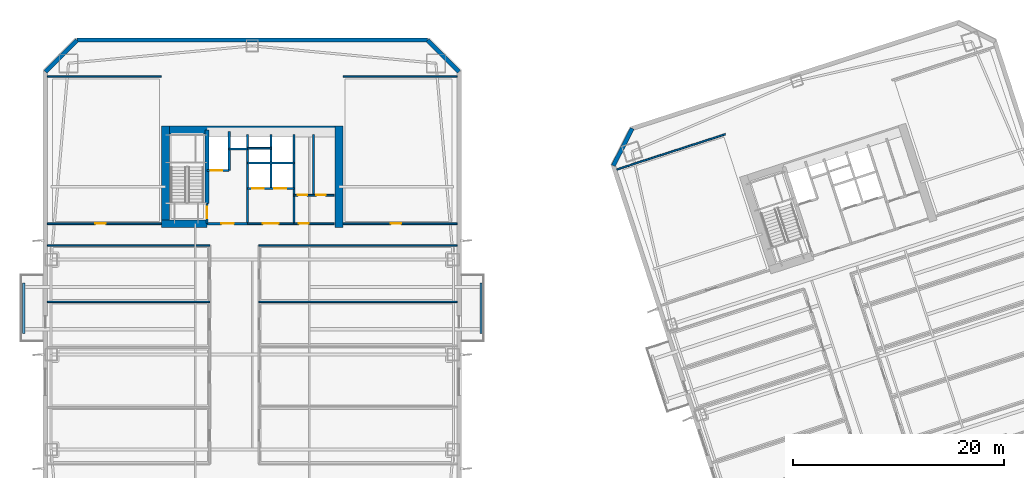
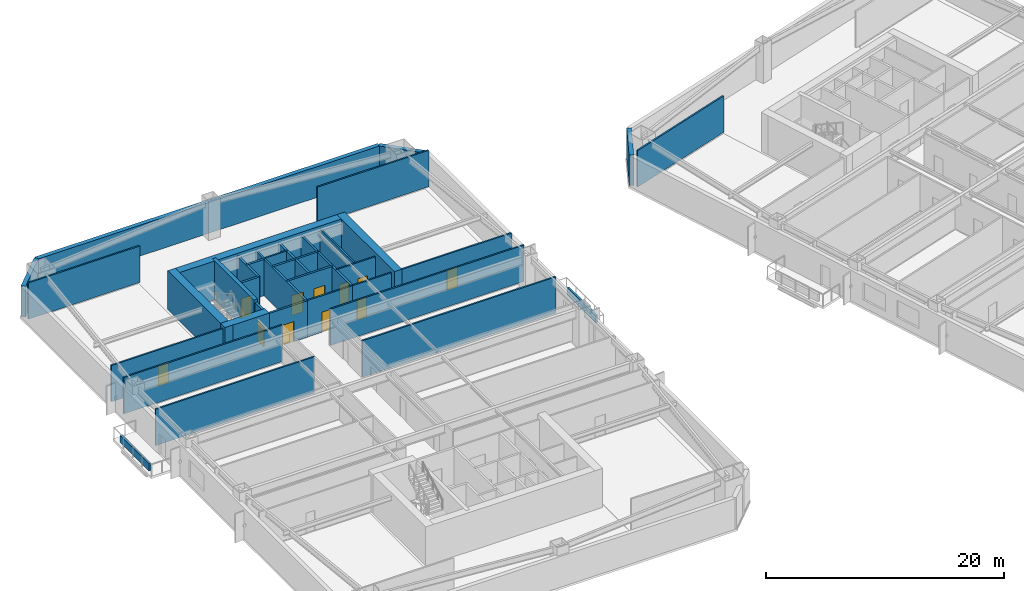
# One storey, part 6 of 21: 35 walls, 11 doors, 11 openings.
"""IFC4 building model written with IfcOpenShell, lengths in metres."""

from ifc_helpers import new_model, si_unit, direction, frame, frame_2d, origin, place, context, subcontext, project, spatial, rectangle, extrude, material, layer, layer_set, type_object, element, fill, save


model = new_model("IFC4")

# Units and contexts
model_context = context("Model", 3, precision=1e-05, world=origin(), true_north=direction((0.0, 1.0)))
body_context = subcontext(model_context, "Body", "Model", "MODEL_VIEW")
ifc_project = project(units=[si_unit("LENGTHUNIT", "METRE"), si_unit("AREAUNIT", "SQUARE_METRE"), si_unit("VOLUMEUNIT", "CUBIC_METRE"), si_unit("PLANEANGLEUNIT", "RADIAN"), si_unit("MASSUNIT", "GRAM", prefix="KILO")], contexts=[model_context])

# Site, building, storey
site_placement = place(None, origin())
site = spatial("IfcSite", under=ifc_project, at=site_placement, CompositionType="ELEMENT")
building_placement = place(site_placement, origin())
building = spatial("IfcBuilding", under=site, at=building_placement, Name="Qiaolan Cultural Towers", CompositionType="ELEMENT")
storey_placement = place(building_placement, frame((0.0, 0.0, 34.0)))
storey = spatial("IfcBuildingStorey", under=building, at=storey_placement, Name="L07", CompositionType="ELEMENT", Elevation=34.0)

# Walls
ifc_material_1 = material(Name="Concrete C50", Category="concrete")
ifc_layer_1 = layer(ifc_material_1, 0.35009765625)
ifc_layer_set_1 = layer_set([ifc_layer_1], Name="Concrete C50")
wall_type_1 = type_object("IfcWallType", Name="WL-CORE-350", PredefinedType="SHEAR", material=ifc_layer_set_1)
wall_1_placement = place(storey_placement, frame((25.719970703125, 48.300048828125, 0.0), z_axis=(0.0, 0.0, 1.0), x_axis=(0.0, 1.0, 0.0)))
element("IfcWall", 1, at=wall_1_placement, inside=storey, type_object=wall_type_1, Name="L07 T1-CN Stair Core Dividing Web", PredefinedType="SHEAR", context=body_context, shape_type="SweptSolid", body=[
    extrude(rectangle(XDim=6.97998046875, YDim=0.35009765625, at=frame_2d((3.489990234375, 0.0))), origin(), (0.0, 0.0, 1.0), 4.0),
])
ifc_material_2 = material(Name="Concrete C60", Category="concrete")
ifc_layer_2 = layer(ifc_material_2, 0.75)
ifc_layer_set_2 = layer_set([ifc_layer_2], Name="Concrete C60")
wall_type_2 = type_object("IfcWallType", Name="WL-CORE-750", PredefinedType="SHEAR", material=ifc_layer_set_2)
wall_2_placement = place(storey_placement, frame((21.425048828125, 55.280029296875, 0.0), z_axis=(0.0, 0.0, 1.0), x_axis=(1.0, 0.0, 0.0)))
element("IfcWall", 2, at=wall_2_placement, inside=storey, type_object=wall_type_2, Name="L07 T1-CN Outer Core Shear Wall", PredefinedType="SHEAR", context=body_context, shape_type="SweptSolid", body=[
    extrude(rectangle(XDim=17.14990234375, YDim=0.75, at=frame_2d((8.574951171875, 0.0))), origin(), (0.0, 0.0, 1.0), 4.0),
])
for number, where, z_axis, x_axis, name in (
    (3, (21.800048828125, 46.02490234375, 0.0), (0.0, 0.0, 1.0), (0.0, 1.0, 0.0), "L07 T1-CN West Core Shear Wall"),
    (4, (38.199951171875, 46.02490234375, 0.0), (0.0, 0.0, 1.0), (0.0, 1.0, 0.0), "L07 T1-CN East Core Shear Wall"),
):
    element("IfcWall", number, at=place(storey_placement, frame(where, z_axis=z_axis, x_axis=x_axis)), inside=storey, type_object=wall_type_2, Name=name, PredefinedType="SHEAR", context=body_context, shape_type="SweptSolid", body=[
        extrude(rectangle(XDim=9.630126953125, YDim=0.75, at=frame_2d((4.81494140625, 0.0))), origin(), (0.0, 0.0, 1.0), 4.0),
    ])
wall_3_placement = place(storey_placement, frame((21.425048828125, 46.39990234375, 0.0), z_axis=(0.0, 0.0, 1.0), x_axis=(1.0, 0.0, 0.0)))
element("IfcWall", 5, at=wall_3_placement, inside=storey, type_object=wall_type_2, Name="L07 T1-CN Stair Front Shear Wall", PredefinedType="SHEAR", context=body_context, shape_type="SweptSolid", body=[
    extrude(rectangle(XDim=4.294921875, YDim=0.75, at=frame_2d((2.1474609375, 0.0))), origin(), (0.0, 0.0, 1.0), 4.0),
])
ifc_material_3 = material(Name="Precast Concrete C50 Honed Stone Pier", Category="masonry")
ifc_layer_3 = layer(ifc_material_3, 0.39990234375)
ifc_layer_set_3 = layer_set([ifc_layer_3], Name="Precast Concrete C50 Honed Stone Pier")
wall_type_3 = type_object("IfcWallType", Name="WL-EXT-PIER-400", PredefinedType="SOLIDWALL", material=ifc_layer_set_3)
wall_4_placement = place(storey_placement, frame((10.39990234375, 60.800048828125, 0.0), z_axis=(0.0, 0.0, 1.0), x_axis=(0.707106781187, 0.707106781187, 0.0)))
element("IfcWall", 6, at=wall_4_placement, inside=storey, type_object=wall_type_3, Name="L07 West Tower Precast Pier Facade Wall F2", PredefinedType="SOLIDWALL", context=body_context, shape_type="SweptSolid", body=[
    extrude(rectangle(XDim=4.24267578125, YDim=0.39990234375, at=frame_2d((2.121337890625, 0.0))), origin(), (0.0, 0.0, 1.0), 3.159912109375),
])
wall_5_placement = place(storey_placement, frame((13.39990234375, 63.800048828125, 0.0), z_axis=(0.0, 0.0, 1.0), x_axis=(1.0, 0.0, 0.0)))
element("IfcWall", 7, at=wall_5_placement, inside=storey, type_object=wall_type_3, Name="L07 West Tower Precast Pier Facade Wall F3", PredefinedType="SOLIDWALL", context=body_context, shape_type="SweptSolid", body=[
    extrude(rectangle(XDim=33.2001953125, YDim=0.39990234375, at=frame_2d((16.60009765625, 0.0))), origin(), (0.0, 0.0, 1.0), 3.159912109375),
])
wall_6_placement = place(storey_placement, frame((46.60009765625, 63.800048828125, 0.0), z_axis=(0.0, 0.0, 1.0), x_axis=(0.707106781187, -0.707106781187, 0.0)))
element("IfcWall", 8, at=wall_6_placement, inside=storey, type_object=wall_type_3, Name="L07 West Tower Precast Pier Facade Wall F4", PredefinedType="SOLIDWALL", context=body_context, shape_type="SweptSolid", body=[
    extrude(rectangle(XDim=4.24267578125, YDim=0.39990234375, at=frame_2d((2.121337890625, 0.0))), origin(), (0.0, 0.0, 1.0), 3.159912109375),
])
wall_7_placement = place(storey_placement, frame((64.20458984375, 51.905029296875, 0.0), z_axis=(0.0, 0.0, 1.0), x_axis=(0.453958106755, 0.891023028497, 0.0)))
element("IfcWall", 9, at=wall_7_placement, inside=storey, type_object=wall_type_3, Name="L07 East Tower Precast Pier Facade Wall F2", PredefinedType="SOLIDWALL", context=body_context, shape_type="SweptSolid", body=[
    extrude(rectangle(XDim=3.9599609375, YDim=0.39990234375, at=frame_2d((1.97998046875, 0.0))), origin(), (0.0, 0.0, 1.0), 3.159912109375),
])

# Wall, opening, door
ifc_material_4 = material(Name="Concrete C35 Fire Wall", Category="concrete")
ifc_layer_4 = layer(ifc_material_4, 0.199951171875)
ifc_layer_set_4 = layer_set([ifc_layer_4], Name="Concrete C35 Fire Wall")
wall_type_4 = type_object("IfcWallType", Name="WL-FIRE-200", PredefinedType="PARTITIONING", material=ifc_layer_set_4)
wall_8_placement = place(storey_placement, frame((25.719970703125, 46.39990234375, 0.0), z_axis=(0.0, 0.0, 1.0), x_axis=(0.0, 1.0, 0.0)))
wall_8 = element("IfcWall", 10, at=wall_8_placement, inside=storey, type_object=wall_type_4, Name="L07 T1-CN Smokeproof Stair Entry Wall", PredefinedType="PARTITIONING", context=body_context, shape_type="SweptSolid", body=[
    extrude(rectangle(XDim=1.900146484375, YDim=0.199951171875, at=frame_2d((0.9501953125, 0.0))), origin(), (0.0, 0.0, 1.0), 3.72509765625),
])
opening_1_placement = place(wall_8_placement, frame((0.52001953125, 0.0, 0.0)))
opening_1 = element("IfcOpeningElement", 11, at=opening_1_placement, cuts=wall_8, Name="Opening FD-04", PredefinedType="OPENING", context=body_context, shape_type="SweptSolid", body=[
    extrude(rectangle(XDim=1.10009765625, YDim=2.050048828125, at=frame_2d((0.550048828125, 1.02490234375))), frame((0.0, 0.10986328125, 0.0), z_axis=(0.0, -1.0, 0.0), x_axis=(1.0, 0.0, 0.0)), (0.0, 0.0, 1.0), 0.219970703125),
])
ifc_material_5 = material(Name="Galvanized Steel Command Fire Door", Category="steel")
door_type_1 = type_object("IfcDoorType", Name="DR-FD90-1100", OperationType="NOTDEFINED", PredefinedType="DOOR", material=ifc_material_5)
door_1_placement = place(opening_1_placement, origin())
door_1 = element("IfcDoor", 12, at=door_1_placement, inside=storey, type_object=door_type_1, Name="L07 ST-W2 Smokeproof Stair Fire Door", OperationType="SINGLE_SWING_LEFT", OverallHeight=2.050048828125, OverallWidth=1.10009765625, PredefinedType="DOOR", context=body_context, shape_type="SweptSolid", body=[
    extrude(rectangle(XDim=1.10009765625, YDim=2.050048828125, at=frame_2d((0.550048828125, 1.02490234375))), frame((0.0, 0.02490234375, 0.0), z_axis=(0.0, -1.0, 0.0), x_axis=(1.0, 0.0, 0.0)), (0.0, 0.0, 1.0), 0.050048828125),
])
fill(opening_1, door_1)

# Wall
wall_9_placement = place(storey_placement, frame((29.550048828125, 46.39990234375, 0.0), z_axis=(0.0, 0.0, 1.0), x_axis=(0.0, 1.0, 0.0)))
element("IfcWall", 13, at=wall_9_placement, inside=storey, type_object=wall_type_4, Name="L07 T1-CN Firefighting Zone Wall", PredefinedType="PARTITIONING", context=body_context, shape_type="SweptSolid", body=[
    extrude(rectangle(XDim=8.43017578125, YDim=0.199951171875, at=frame_2d((4.215087890625, 0.0))), origin(), (0.0, 0.0, 1.0), 3.72509765625),
])

# Wall, opening, door
wall_10_placement = place(storey_placement, frame((25.719970703125, 46.39990234375, 0.0), z_axis=(0.0, 0.0, 1.0), x_axis=(1.0, 0.0, 0.0)))
wall_10 = element("IfcWall", 14, at=wall_10_placement, inside=storey, type_object=wall_type_4, Name="L07 T1-CN Firefighting Lobby Front Wall", PredefinedType="PARTITIONING", context=body_context, shape_type="SweptSolid", body=[
    extrude(rectangle(XDim=3.830078125, YDim=0.199951171875, at=frame_2d((1.9150390625, 0.0))), origin(), (0.0, 0.0, 1.0), 3.72509765625),
])
opening_2_placement = place(wall_10_placement, frame((1.35009765625, 0.0, 0.0)))
opening_2 = element("IfcOpeningElement", 15, at=opening_2_placement, cuts=wall_10, Name="Opening FD-03", PredefinedType="OPENING", context=body_context, shape_type="SweptSolid", body=[
    extrude(rectangle(XDim=1.199951171875, YDim=2.050048828125, at=frame_2d((0.60009765625, 1.02490234375))), frame((0.0, 0.10986328125, 0.0), z_axis=(0.0, -1.0, 0.0), x_axis=(1.0, 0.0, 0.0)), (0.0, 0.0, 1.0), 0.219970703125),
])
ifc_material_6 = material(Name="Galvanized Steel Smokeproof Lobby Fire Door", Category="steel")
door_type_2 = type_object("IfcDoorType", Name="DR-FD90-1200", OperationType="NOTDEFINED", PredefinedType="DOOR", material=ifc_material_6)
door_2_placement = place(opening_2_placement, origin())
door_2 = element("IfcDoor", 16, at=door_2_placement, inside=storey, type_object=door_type_2, Name="L07 FFL-W2 Firefighting Lobby Fire Door", OperationType="SINGLE_SWING_LEFT", OverallHeight=2.050048828125, OverallWidth=1.199951171875, PredefinedType="DOOR", context=body_context, shape_type="SweptSolid", body=[
    extrude(rectangle(XDim=1.199951171875, YDim=2.050048828125, at=frame_2d((0.60009765625, 1.02490234375))), frame((0.0, 0.02490234375, 0.0), z_axis=(0.0, -1.0, 0.0), x_axis=(1.0, 0.0, 0.0)), (0.0, 0.0, 1.0), 0.050048828125),
])
fill(opening_2, door_2)

wall_11_placement = place(storey_placement, frame((25.719970703125, 51.449951171875, 0.0), z_axis=(0.0, 0.0, 1.0), x_axis=(1.0, 0.0, 0.0)))
wall_11 = element("IfcWall", 17, at=wall_11_placement, inside=storey, type_object=wall_type_4, Name="L07 T1-CN Firefighting Shaft Front Wall", PredefinedType="PARTITIONING", context=body_context, shape_type="SweptSolid", body=[
    extrude(rectangle(XDim=2.10009765625, YDim=0.199951171875, at=frame_2d((1.050048828125, 0.0))), origin(), (0.0, 0.0, 1.0), 3.72509765625),
])
opening_3_placement = place(wall_11_placement, frame((0.35009765625, 0.0, 0.0)))
opening_3 = element("IfcOpeningElement", 18, at=opening_3_placement, cuts=wall_11, Name="Opening LD-01", PredefinedType="OPENING", context=body_context, shape_type="SweptSolid", body=[
    extrude(rectangle(XDim=1.10009765625, YDim=2.050048828125, at=frame_2d((0.550048828125, 1.02490234375))), frame((0.0, 0.10986328125, 0.0), z_axis=(0.0, -1.0, 0.0), x_axis=(1.0, 0.0, 0.0)), (0.0, 0.0, 1.0), 0.219970703125),
])
ifc_material_7 = material(Name="Brushed Stainless Steel S30408 Centre-Parting Lift Landing Door", Category="steel")
door_type_3 = type_object("IfcDoorType", Name="DR-LIFT-1100", OperationType="NOTDEFINED", PredefinedType="DOOR", material=ifc_material_7)
door_3_placement = place(opening_3_placement, origin())
door_3 = element("IfcDoor", 19, at=door_3_placement, inside=storey, type_object=door_type_3, Name="L07 FFL-W2 Firefighting Lift Landing Door", OperationType="DOUBLE_DOOR_SLIDING", OverallHeight=2.050048828125, OverallWidth=1.10009765625, PredefinedType="DOOR", context=body_context, shape_type="SweptSolid", body=[
    extrude(rectangle(XDim=1.10009765625, YDim=2.050048828125, at=frame_2d((0.550048828125, 1.02490234375))), frame((0.0, 0.02490234375, 0.0), z_axis=(0.0, -1.0, 0.0), x_axis=(1.0, 0.0, 0.0)), (0.0, 0.0, 1.0), 0.050048828125),
])
fill(opening_3, door_3)

# Walls
wall_12_placement = place(storey_placement, frame((27.820068359375, 51.449951171875, 0.0), z_axis=(0.0, 0.0, 1.0), x_axis=(0.0, 1.0, 0.0)))
element("IfcWall", 20, at=wall_12_placement, inside=storey, type_object=wall_type_4, Name="L07 T1-CN Firefighting Hoistway East Wall", PredefinedType="PARTITIONING", context=body_context, shape_type="SweptSolid", body=[
    extrude(rectangle(XDim=3.699951171875, YDim=0.199951171875, at=frame_2d((1.85009765625, 0.0))), origin(), (0.0, 0.0, 1.0), 3.72509765625),
])
wall_13_placement = place(storey_placement, frame((27.820068359375, 53.47998046875, 0.0), z_axis=(0.0, 0.0, 1.0), x_axis=(1.0, 0.0, 0.0)))
element("IfcWall", 21, at=wall_13_placement, inside=storey, type_object=wall_type_4, Name="L07 T1-CN Pressurization Shaft Front Wall", PredefinedType="PARTITIONING", context=body_context, shape_type="SweptSolid", body=[
    extrude(rectangle(XDim=1.72998046875, YDim=0.199951171875, at=frame_2d((0.864990234375, 0.0))), origin(), (0.0, 0.0, 1.0), 3.72509765625),
])
wall_14_placement = place(storey_placement, frame((33.949951171875, 46.39990234375, 0.0), z_axis=(0.0, 0.0, 1.0), x_axis=(0.0, 1.0, 0.0)))
element("IfcWall", 22, at=wall_14_placement, inside=storey, type_object=wall_type_4, Name="L07 T1-CN Lift Core East Wall", PredefinedType="PARTITIONING", context=body_context, shape_type="SweptSolid", body=[
    extrude(rectangle(XDim=8.43017578125, YDim=0.199951171875, at=frame_2d((4.215087890625, 0.0))), origin(), (0.0, 0.0, 1.0), 3.72509765625),
])

# Wall, openings, doors
wall_15_placement = place(storey_placement, frame((29.550048828125, 49.719970703125, 0.0), z_axis=(0.0, 0.0, 1.0), x_axis=(1.0, 0.0, 0.0)))
wall_15 = element("IfcWall", 23, at=wall_15_placement, inside=storey, type_object=wall_type_4, Name="L07 T1-CN Passenger Lift Shaft Front Wall", PredefinedType="PARTITIONING", context=body_context, shape_type="SweptSolid", body=[
    extrude(rectangle(XDim=4.39990234375, YDim=0.199951171875, at=frame_2d((2.199951171875, 0.0))), origin(), (0.0, 0.0, 1.0), 3.72509765625),
])
opening_4_placement = place(wall_15_placement, frame((0.449951171875, 0.0, 0.0)))
opening_4 = element("IfcOpeningElement", 24, at=opening_4_placement, cuts=wall_15, Name="Opening LD-01", PredefinedType="OPENING", context=body_context, shape_type="SweptSolid", body=[
    extrude(rectangle(XDim=1.10009765625, YDim=2.050048828125, at=frame_2d((0.550048828125, 1.02490234375))), frame((0.0, 0.10986328125, 0.0), z_axis=(0.0, -1.0, 0.0), x_axis=(1.0, 0.0, 0.0)), (0.0, 0.0, 1.0), 0.219970703125),
])
opening_5_placement = place(wall_15_placement, frame((2.550048828125, 0.0, 0.0)))
opening_5 = element("IfcOpeningElement", 25, at=opening_5_placement, cuts=wall_15, Name="Opening LD-01", PredefinedType="OPENING", context=body_context, shape_type="SweptSolid", body=[
    extrude(rectangle(XDim=1.10009765625, YDim=2.050048828125, at=frame_2d((0.550048828125, 1.02490234375))), frame((0.0, 0.10986328125, 0.0), z_axis=(0.0, -1.0, 0.0), x_axis=(1.0, 0.0, 0.0)), (0.0, 0.0, 1.0), 0.219970703125),
])
door_4_placement = place(opening_4_placement, origin())
door_4 = element("IfcDoor", 26, at=door_4_placement, inside=storey, type_object=door_type_3, Name="L07 Passenger Lift 1 Landing Door", OperationType="DOUBLE_DOOR_SLIDING", OverallHeight=2.050048828125, OverallWidth=1.10009765625, PredefinedType="DOOR", context=body_context, shape_type="SweptSolid", body=[
    extrude(rectangle(XDim=1.10009765625, YDim=2.050048828125, at=frame_2d((0.550048828125, 1.02490234375))), frame((0.0, 0.02490234375, 0.0), z_axis=(0.0, -1.0, 0.0), x_axis=(1.0, 0.0, 0.0)), (0.0, 0.0, 1.0), 0.050048828125),
])
fill(opening_4, door_4)
door_5_placement = place(opening_5_placement, origin())
door_5 = element("IfcDoor", 27, at=door_5_placement, inside=storey, type_object=door_type_3, Name="L07 Passenger Lift 2 Landing Door", OperationType="DOUBLE_DOOR_SLIDING", OverallHeight=2.050048828125, OverallWidth=1.10009765625, PredefinedType="DOOR", context=body_context, shape_type="SweptSolid", body=[
    extrude(rectangle(XDim=1.10009765625, YDim=2.050048828125, at=frame_2d((0.550048828125, 1.02490234375))), frame((0.0, 0.02490234375, 0.0), z_axis=(0.0, -1.0, 0.0), x_axis=(1.0, 0.0, 0.0)), (0.0, 0.0, 1.0), 0.050048828125),
])
fill(opening_5, door_5)

# Walls
wall_16_placement = place(storey_placement, frame((31.780029296875, 49.719970703125, 0.0), z_axis=(0.0, 0.0, 1.0), x_axis=(0.0, 1.0, 0.0)))
element("IfcWall", 28, at=wall_16_placement, inside=storey, type_object=wall_type_4, Name="L07 T1-CN Lift Shaft Divider Wall", PredefinedType="PARTITIONING", context=body_context, shape_type="SweptSolid", body=[
    extrude(rectangle(XDim=5.110107421875, YDim=0.199951171875, at=frame_2d((2.55517578125, 0.0))), origin(), (0.0, 0.0, 1.0), 3.72509765625),
])
wall_17_placement = place(storey_placement, frame((29.550048828125, 52.14990234375, 0.0), z_axis=(0.0, 0.0, 1.0), x_axis=(1.0, 0.0, 0.0)))
element("IfcWall", 29, at=wall_17_placement, inside=storey, type_object=wall_type_4, Name="L07 T1-CN Passenger Lift Shaft Back Wall", PredefinedType="PARTITIONING", context=body_context, shape_type="SweptSolid", body=[
    extrude(rectangle(XDim=4.39990234375, YDim=0.199951171875, at=frame_2d((2.199951171875, 0.0))), origin(), (0.0, 0.0, 1.0), 3.72509765625),
])

# Wall, opening, door
ifc_material_8 = material(Name="Autoclaved Aerated Concrete Block B06", Category="concrete")
ifc_layer_5 = layer(ifc_material_8, 0.14990234375)
ifc_layer_set_5 = layer_set([ifc_layer_5], Name="Autoclaved Aerated Concrete Block B06")
wall_type_5 = type_object("IfcWallType", Name="WL-PART-150", PredefinedType="PARTITIONING", material=ifc_layer_set_5)
wall_18_placement = place(storey_placement, frame((29.550048828125, 46.39990234375, 0.0), z_axis=(0.0, 0.0, 1.0), x_axis=(1.0, 0.0, 0.0)))
wall_18 = element("IfcWall", 30, at=wall_18_placement, inside=storey, type_object=wall_type_5, Name="L07 T1-CN Passenger Lift Lobby Front Wall", PredefinedType="PARTITIONING", context=body_context, shape_type="SweptSolid", body=[
    extrude(rectangle(XDim=4.39990234375, YDim=0.14990234375, at=frame_2d((2.199951171875, 0.0))), origin(), (0.0, 0.0, 1.0), 3.72509765625),
])
opening_6_placement = place(wall_18_placement, frame((1.449951171875, 0.0, 0.0)))
opening_6 = element("IfcOpeningElement", 31, at=opening_6_placement, cuts=wall_18, Name="Opening FD-05", PredefinedType="OPENING", context=body_context, shape_type="SweptSolid", body=[
    extrude(rectangle(XDim=1.5, YDim=2.050048828125, at=frame_2d((0.75, 1.02490234375))), frame((0.0, 0.0849609375, 0.0), z_axis=(0.0, -1.0, 0.0), x_axis=(1.0, 0.0, 0.0)), (0.0, 0.0, 1.0), 0.169921875),
])
ifc_material_9 = material(Name="Painted Steel Lift Lobby Fire Door", Category="steel")
door_type_4 = type_object("IfcDoorType", Name="DR-FD60-1500", OperationType="NOTDEFINED", PredefinedType="DOOR", material=ifc_material_9)
door_6_placement = place(opening_6_placement, origin())
door_6 = element("IfcDoor", 32, at=door_6_placement, inside=storey, type_object=door_type_4, Name="L07 Passenger Lift Lobby Entrance", OperationType="SINGLE_SWING_LEFT", OverallHeight=2.050048828125, OverallWidth=1.5, PredefinedType="DOOR", context=body_context, shape_type="SweptSolid", body=[
    extrude(rectangle(XDim=1.5, YDim=2.050048828125, at=frame_2d((0.75, 1.02490234375))), frame((0.0, 0.02490234375, 0.0), z_axis=(0.0, -1.0, 0.0), x_axis=(1.0, 0.0, 0.0)), (0.0, 0.0, 1.0), 0.050048828125),
])
fill(opening_6, door_6)

# Wall
wall_19_placement = place(storey_placement, frame((29.550048828125, 53.550048828125, 0.0), z_axis=(0.0, 0.0, 1.0), x_axis=(1.0, 0.0, 0.0)))
element("IfcWall", 33, at=wall_19_placement, inside=storey, type_object=wall_type_5, Name="L07 T1-CN Core Rear Riser Split", PredefinedType="PARTITIONING", context=body_context, shape_type="SweptSolid", body=[
    extrude(rectangle(XDim=2.22998046875, YDim=0.14990234375, at=frame_2d((1.114990234375, 0.0))), origin(), (0.0, 0.0, 1.0), 3.72509765625),
])

# Wall, opening, door
wall_20_placement = place(storey_placement, frame((33.949951171875, 46.39990234375, 0.0), z_axis=(0.0, 0.0, 1.0), x_axis=(1.0, 0.0, 0.0)))
wall_20 = element("IfcWall", 34, at=wall_20_placement, inside=storey, type_object=wall_type_5, Name="L07 T1-CN Sanitary Core Front Wall", PredefinedType="PARTITIONING", context=body_context, shape_type="SweptSolid", body=[
    extrude(rectangle(XDim=3.800048828125, YDim=0.14990234375, at=frame_2d((1.89990234375, 0.0))), origin(), (0.0, 0.0, 1.0), 3.72509765625),
])
opening_7_placement = place(wall_20_placement, frame((0.449951171875, 0.0, 0.0)))
opening_7 = element("IfcOpeningElement", 35, at=opening_7_placement, cuts=wall_20, Name="Opening ID-05", PredefinedType="OPENING", context=body_context, shape_type="SweptSolid", body=[
    extrude(rectangle(XDim=0.949951171875, YDim=2.050048828125, at=frame_2d((0.47509765625, 1.02490234375))), frame((0.0, 0.0849609375, 0.0), z_axis=(0.0, -1.0, 0.0), x_axis=(1.0, 0.0, 0.0)), (0.0, 0.0, 1.0), 0.169921875),
])
ifc_material_10 = material(Name="Fire-Rated Laminate Accessible Core Door", Category="timber")
door_type_5 = type_object("IfcDoorType", Name="DR-INT-950", OperationType="NOTDEFINED", PredefinedType="DOOR", material=ifc_material_10)
door_7_placement = place(opening_7_placement, origin())
door_7 = element("IfcDoor", 36, at=door_7_placement, inside=storey, type_object=door_type_5, Name="L07 Sanitary Vestibule Door", OperationType="SINGLE_SWING_LEFT", OverallHeight=2.050048828125, OverallWidth=0.949951171875, PredefinedType="DOOR", context=body_context, shape_type="SweptSolid", body=[
    extrude(rectangle(XDim=0.949951171875, YDim=2.050048828125, at=frame_2d((0.47509765625, 1.02490234375))), frame((0.0, 0.02490234375, 0.0), z_axis=(0.0, -1.0, 0.0), x_axis=(1.0, 0.0, 0.0)), (0.0, 0.0, 1.0), 0.050048828125),
])
fill(opening_7, door_7)

# Wall, openings, doors
wall_21_placement = place(storey_placement, frame((33.949951171875, 49.10009765625, 0.0), z_axis=(0.0, 0.0, 1.0), x_axis=(1.0, 0.0, 0.0)))
wall_21 = element("IfcWall", 37, at=wall_21_placement, inside=storey, type_object=wall_type_5, Name="L07 T1-CN Restroom Vestibule Wall", PredefinedType="PARTITIONING", context=body_context, shape_type="SweptSolid", body=[
    extrude(rectangle(XDim=3.800048828125, YDim=0.14990234375, at=frame_2d((1.89990234375, 0.0))), origin(), (0.0, 0.0, 1.0), 3.72509765625),
])
opening_8_placement = place(wall_21_placement, frame((0.35009765625, 0.0, 0.0)))
opening_8 = element("IfcOpeningElement", 38, at=opening_8_placement, cuts=wall_21, Name="Opening ID-06", PredefinedType="OPENING", context=body_context, shape_type="SweptSolid", body=[
    extrude(rectangle(XDim=0.89990234375, YDim=2.050048828125, at=frame_2d((0.449951171875, 1.02490234375))), frame((0.0, 0.0849609375, 0.0), z_axis=(0.0, -1.0, 0.0), x_axis=(1.0, 0.0, 0.0)), (0.0, 0.0, 1.0), 0.169921875),
])
opening_9_placement = place(wall_21_placement, frame((2.10009765625, 0.0, 0.0)))
opening_9 = element("IfcOpeningElement", 39, at=opening_9_placement, cuts=wall_21, Name="Opening ID-06", PredefinedType="OPENING", context=body_context, shape_type="SweptSolid", body=[
    extrude(rectangle(XDim=0.89990234375, YDim=2.050048828125, at=frame_2d((0.449951171875, 1.02490234375))), frame((0.0, 0.0849609375, 0.0), z_axis=(0.0, -1.0, 0.0), x_axis=(1.0, 0.0, 0.0)), (0.0, 0.0, 1.0), 0.169921875),
])
ifc_material_11 = material(Name="Fire-Rated Laminate Core Service Door", Category="timber")
door_type_6 = type_object("IfcDoorType", Name="DR-INT-900", OperationType="NOTDEFINED", PredefinedType="DOOR", material=ifc_material_11)
door_8_placement = place(opening_8_placement, origin())
door_8 = element("IfcDoor", 40, at=door_8_placement, inside=storey, type_object=door_type_6, Name="L07 Men Restroom Door", OperationType="SINGLE_SWING_LEFT", OverallHeight=2.050048828125, OverallWidth=0.89990234375, PredefinedType="DOOR", context=body_context, shape_type="SweptSolid", body=[
    extrude(rectangle(XDim=0.89990234375, YDim=2.050048828125, at=frame_2d((0.449951171875, 1.02490234375))), frame((0.0, 0.02490234375, 0.0), z_axis=(0.0, -1.0, 0.0), x_axis=(1.0, 0.0, 0.0)), (0.0, 0.0, 1.0), 0.050048828125),
])
fill(opening_8, door_8)
door_9_placement = place(opening_9_placement, origin())
door_9 = element("IfcDoor", 41, at=door_9_placement, inside=storey, type_object=door_type_6, Name="L07 Accessible & Women Restroom Door", OperationType="SINGLE_SWING_RIGHT", OverallHeight=2.050048828125, OverallWidth=0.89990234375, PredefinedType="DOOR", context=body_context, shape_type="SweptSolid", body=[
    extrude(rectangle(XDim=0.89990234375, YDim=2.050048828125, at=frame_2d((0.449951171875, 1.02490234375))), frame((0.0, 0.02490234375, 0.0), z_axis=(0.0, -1.0, 0.0), x_axis=(1.0, 0.0, 0.0)), (0.0, 0.0, 1.0), 0.050048828125),
])
fill(opening_9, door_9)

# Walls
wall_22_placement = place(storey_placement, frame((35.800048828125, 49.10009765625, 0.0), z_axis=(0.0, 0.0, 1.0), x_axis=(0.0, 1.0, 0.0)))
element("IfcWall", 42, at=wall_22_placement, inside=storey, type_object=wall_type_5, Name="L07 T1-CN Restroom Divider Wall", PredefinedType="PARTITIONING", context=body_context, shape_type="SweptSolid", body=[
    extrude(rectangle(XDim=5.72998046875, YDim=0.14990234375, at=frame_2d((2.864990234375, 0.0))), origin(), (0.0, 0.0, 1.0), 3.72509765625),
])
wall_23_placement = place(storey_placement, frame((10.60009765625, 60.35009765625, 0.0), z_axis=(0.0, 0.0, 1.0), x_axis=(1.0, 0.0, 0.0)))
element("IfcWall", 43, at=wall_23_placement, inside=storey, type_object=wall_type_5, Name="L07 T1 Flank Wall FLK-NW", PredefinedType="PARTITIONING", context=body_context, shape_type="SweptSolid", body=[
    extrude(rectangle(XDim=10.7998046875, YDim=0.14990234375, at=frame_2d((5.39990234375, 0.0))), origin(), (0.0, 0.0, 1.0), 3.72509765625),
])

# Wall, opening, door
wall_24_placement = place(storey_placement, frame((10.60009765625, 46.39990234375, 0.0), z_axis=(0.0, 0.0, 1.0), x_axis=(1.0, 0.0, 0.0)))
wall_24 = element("IfcWall", 44, at=wall_24_placement, inside=storey, type_object=wall_type_5, Name="L07 T1 Flank Front FLK-NW", PredefinedType="PARTITIONING", context=body_context, shape_type="SweptSolid", body=[
    extrude(rectangle(XDim=10.7998046875, YDim=0.14990234375, at=frame_2d((5.39990234375, 0.0))), origin(), (0.0, 0.0, 1.0), 3.72509765625),
])
opening_10_placement = place(wall_24_placement, frame((4.535888671875, 0.0, 0.0)))
opening_10 = element("IfcOpeningElement", 45, at=opening_10_placement, cuts=wall_24, Name="Opening ID-04", PredefinedType="OPENING", context=body_context, shape_type="SweptSolid", body=[
    extrude(rectangle(XDim=1.0, YDim=2.050048828125, at=frame_2d((0.5, 1.02490234375))), frame((0.0, 0.0849609375, 0.0), z_axis=(0.0, -1.0, 0.0), x_axis=(1.0, 0.0, 0.0)), (0.0, 0.0, 1.0), 0.169921875),
])
ifc_material_12 = material(Name="Oak Veneer Acoustic Office Door", Category="timber")
door_type_7 = type_object("IfcDoorType", Name="DR-INT-1000", OperationType="NOTDEFINED", PredefinedType="DOOR", material=ifc_material_12)
door_10_placement = place(opening_10_placement, origin())
door_10 = element("IfcDoor", 46, at=door_10_placement, inside=storey, type_object=door_type_7, Name="L07 T1 Corner Studio Door", OperationType="SINGLE_SWING_LEFT", OverallHeight=2.050048828125, OverallWidth=1.0, PredefinedType="DOOR", context=body_context, shape_type="SweptSolid", body=[
    extrude(rectangle(XDim=1.0, YDim=2.050048828125, at=frame_2d((0.5, 1.02490234375))), frame((0.0, 0.02490234375, 0.0), z_axis=(0.0, -1.0, 0.0), x_axis=(1.0, 0.0, 0.0)), (0.0, 0.0, 1.0), 0.050048828125),
])
fill(opening_10, door_10)

# Wall
wall_25_placement = place(storey_placement, frame((38.60009765625, 60.35009765625, 0.0), z_axis=(0.0, 0.0, 1.0), x_axis=(1.0, 0.0, 0.0)))
element("IfcWall", 47, at=wall_25_placement, inside=storey, type_object=wall_type_5, Name="L07 T1 Flank Wall FLK-NE", PredefinedType="PARTITIONING", context=body_context, shape_type="SweptSolid", body=[
    extrude(rectangle(XDim=10.7998046875, YDim=0.14990234375, at=frame_2d((5.39990234375, 0.0))), origin(), (0.0, 0.0, 1.0), 3.72509765625),
])

# Wall, opening, door
wall_26_placement = place(storey_placement, frame((38.60009765625, 46.39990234375, 0.0), z_axis=(0.0, 0.0, 1.0), x_axis=(1.0, 0.0, 0.0)))
wall_26 = element("IfcWall", 48, at=wall_26_placement, inside=storey, type_object=wall_type_5, Name="L07 T1 Flank Front FLK-NE", PredefinedType="PARTITIONING", context=body_context, shape_type="SweptSolid", body=[
    extrude(rectangle(XDim=10.7998046875, YDim=0.14990234375, at=frame_2d((5.39990234375, 0.0))), origin(), (0.0, 0.0, 1.0), 3.72509765625),
])
opening_11_placement = place(wall_26_placement, frame((4.535888671875, 0.0, 0.0)))
opening_11 = element("IfcOpeningElement", 49, at=opening_11_placement, cuts=wall_26, Name="Opening ID-04", PredefinedType="OPENING", context=body_context, shape_type="SweptSolid", body=[
    extrude(rectangle(XDim=1.0, YDim=2.050048828125, at=frame_2d((0.5, 1.02490234375))), frame((0.0, 0.0849609375, 0.0), z_axis=(0.0, -1.0, 0.0), x_axis=(1.0, 0.0, 0.0)), (0.0, 0.0, 1.0), 0.169921875),
])
door_11_placement = place(opening_11_placement, origin())
door_11 = element("IfcDoor", 50, at=door_11_placement, inside=storey, type_object=door_type_7, Name="L07 T1 Corner Studio Door", OperationType="SINGLE_SWING_LEFT", OverallHeight=2.050048828125, OverallWidth=1.0, PredefinedType="DOOR", context=body_context, shape_type="SweptSolid", body=[
    extrude(rectangle(XDim=1.0, YDim=2.050048828125, at=frame_2d((0.5, 1.02490234375))), frame((0.0, 0.02490234375, 0.0), z_axis=(0.0, -1.0, 0.0), x_axis=(1.0, 0.0, 0.0)), (0.0, 0.0, 1.0), 0.050048828125),
])
fill(opening_11, door_11)

# Walls
wall_27_placement = place(storey_placement, frame((10.60009765625, 44.35009765625, 0.0), z_axis=(0.0, 0.0, 1.0), x_axis=(1.0, 0.0, 0.0)))
element("IfcWall", 51, at=wall_27_placement, inside=storey, type_object=wall_type_5, Name="L07 T1 North Corridor Left Wall", PredefinedType="PARTITIONING", context=body_context, shape_type="SweptSolid", body=[
    extrude(rectangle(XDim=15.375, YDim=0.14990234375, at=frame_2d((7.6875, 0.0))), origin(), (0.0, 0.0, 1.0), 3.72509765625),
])
wall_28_placement = place(storey_placement, frame((30.625, 44.35009765625, 0.0), z_axis=(0.0, 0.0, 1.0), x_axis=(1.0, 0.0, 0.0)))
element("IfcWall", 52, at=wall_28_placement, inside=storey, type_object=wall_type_5, Name="L07 T1 North Corridor Right Wall", PredefinedType="PARTITIONING", context=body_context, shape_type="SweptSolid", body=[
    extrude(rectangle(XDim=18.77490234375, YDim=0.14990234375, at=frame_2d((9.387451171875, 0.0))), origin(), (0.0, 0.0, 1.0), 3.72509765625),
])
wall_29_placement = place(storey_placement, frame((10.60009765625, 39.0, 0.0), z_axis=(0.0, 0.0, 1.0), x_axis=(1.0, 0.0, 0.0)))
element("IfcWall", 53, at=wall_29_placement, inside=storey, type_object=wall_type_5, Name="L07 T1 West Partition 3", PredefinedType="PARTITIONING", context=body_context, shape_type="SweptSolid", body=[
    extrude(rectangle(XDim=15.375, YDim=0.14990234375, at=frame_2d((7.6875, 0.0))), origin(), (0.0, 0.0, 1.0), 3.72509765625),
])
wall_30_placement = place(storey_placement, frame((30.625, 39.0, 0.0), z_axis=(0.0, 0.0, 1.0), x_axis=(1.0, 0.0, 0.0)))
element("IfcWall", 54, at=wall_30_placement, inside=storey, type_object=wall_type_5, Name="L07 T1 East Partition 3", PredefinedType="PARTITIONING", context=body_context, shape_type="SweptSolid", body=[
    extrude(rectangle(XDim=18.77490234375, YDim=0.14990234375, at=frame_2d((9.387451171875, 0.0))), origin(), (0.0, 0.0, 1.0), 3.72509765625),
])
wall_31_placement = place(storey_placement, frame((64.53369140625, 51.538818359375, 0.0), z_axis=(0.0, 0.0, 1.0), x_axis=(0.951056658866, 0.309016555588, 0.0)))
element("IfcWall", 55, at=wall_31_placement, inside=storey, type_object=wall_type_5, Name="L07 T2 Flank Wall FLK-NW", PredefinedType="PARTITIONING", context=body_context, shape_type="SweptSolid", body=[
    extrude(rectangle(XDim=10.800048828125, YDim=0.14990234375, at=frame_2d((5.39990234375, 0.0))), origin(), (0.0, 0.0, 1.0), 3.72509765625),
])
ifc_material_13 = material(Name="Precast Concrete C45 Tree Planter Upstand", Category="concrete")
ifc_layer_6 = layer(ifc_material_13, 0.199951171875)
ifc_layer_set_6 = layer_set([ifc_layer_6], Name="Precast Concrete C45 Tree Planter Upstand")
wall_type_6 = type_object("IfcWallType", Name="WL-PLANTER-200", PredefinedType="PARAPET", material=ifc_layer_set_6)
for number, where, z_axis, x_axis, name in (
    (56, (8.35009765625, 36.0, 0.0), (0.0, 0.0, 1.0), (0.0, 1.0, 0.0), "L07 T1 Tree Balcony Soil Planter Box W"),
    (57, (51.64990234375, 36.0, 0.0), (0.0, 0.0, 1.0), (0.0, 1.0, 0.0), "L07 T1 Tree Balcony Soil Planter Box E"),
):
    element("IfcWall", number, at=place(storey_placement, frame(where, z_axis=z_axis, x_axis=x_axis)), inside=storey, type_object=wall_type_6, Name=name, PredefinedType="PARAPET", context=body_context, shape_type="SweptSolid", body=[
        extrude(rectangle(XDim=4.800048828125, YDim=0.199951171875, at=frame_2d((2.39990234375, 0.0))), origin(), (0.0, 0.0, 1.0), 0.75),
    ])

save(model, "model.ifc")
